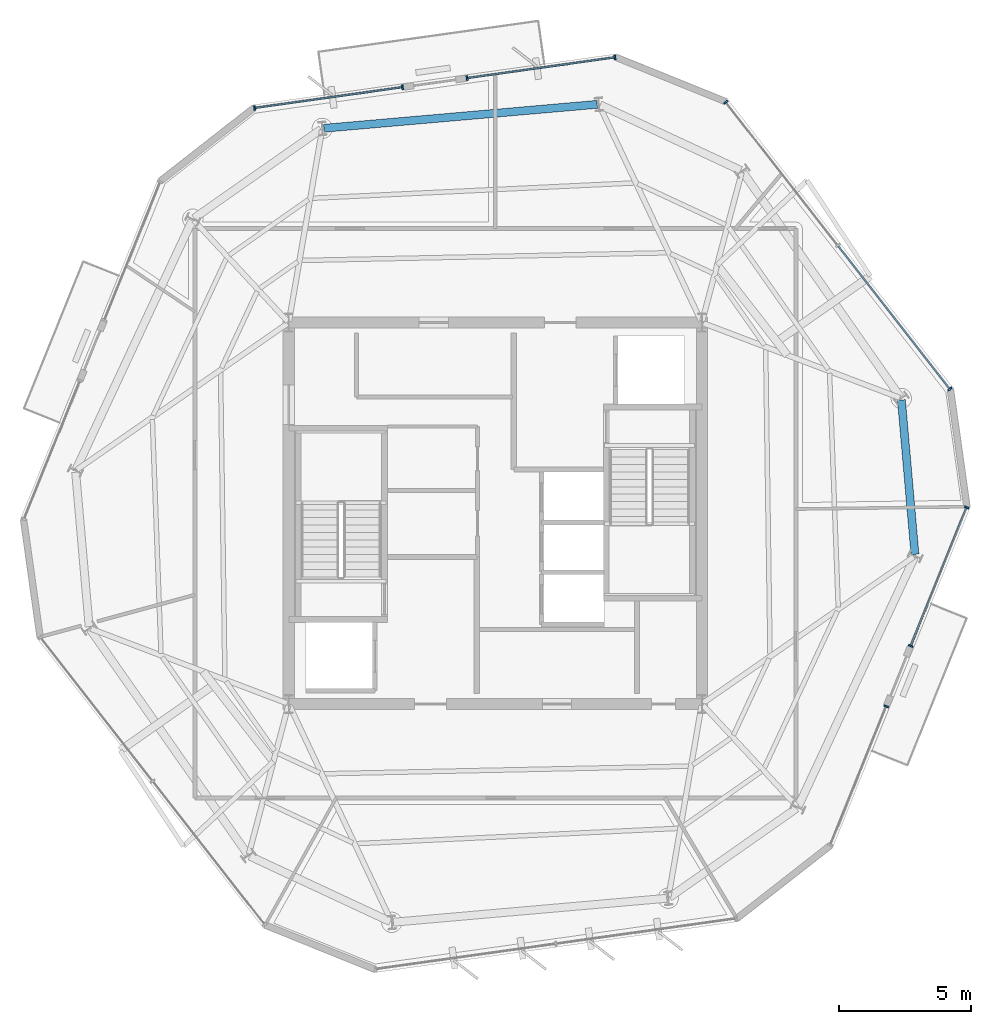
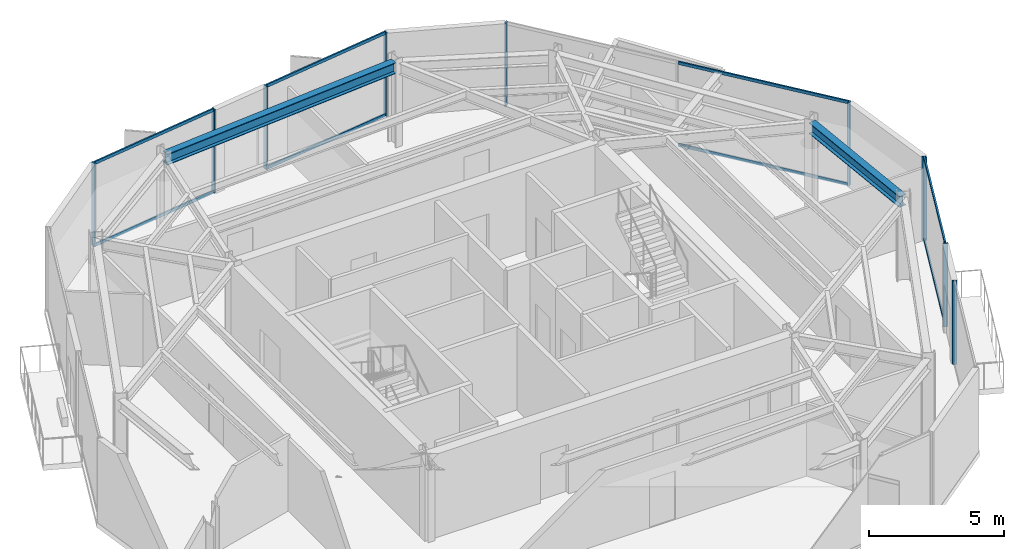
# One storey, part 5 of 11: 17 members, 2 beams, 5 elements without a shape of their own.
"""IFC4 building model written with IfcOpenShell, lengths in metres."""

from ifc_helpers import new_model, si_unit, direction, frame, origin, origin_2d, place, context, subcontext, project, spatial, rectangle, i_section, extrude, material, layer, layer_set, material_profile, profile_set, type_object, element, aggregate, save


model = new_model("IFC4")

# Units and contexts
model_context = context("Model", 3, precision=1e-05, world=origin(), true_north=direction((0.0, 1.0)))
body_context = subcontext(model_context, "Body", "Model", "MODEL_VIEW")
ifc_project = project(units=[si_unit("LENGTHUNIT", "METRE"), si_unit("AREAUNIT", "SQUARE_METRE"), si_unit("VOLUMEUNIT", "CUBIC_METRE"), si_unit("PLANEANGLEUNIT", "RADIAN"), si_unit("MASSUNIT", "GRAM", prefix="KILO")], contexts=[model_context])

# Site, building, storey
site_placement = place(None, origin())
site = spatial("IfcSite", under=ifc_project, at=site_placement, CompositionType="ELEMENT")
building_placement = place(site_placement, origin())
building = spatial("IfcBuilding", under=site, at=building_placement, Name="Kranzbogen Civic Tower", CompositionType="ELEMENT")
storey_placement = place(building_placement, frame((0.0, 0.0, 298.199951171875)))
storey = spatial("IfcBuildingStorey", under=building, at=storey_placement, Name="L72", CompositionType="ELEMENT", Elevation=298.199951171875)

# Curtain wall, members
ifc_material_1 = material(Name="Pale Anodised Aluminium", Category="aluminium")
ifc_layer = layer(ifc_material_1, 0.219970703125, Name="Pale Anodised Aluminium")
ifc_layer_set = layer_set([ifc_layer], Name="Pale Anodised Aluminium")
curtain_wall_type = type_object("IfcCurtainWallType", Name="Zone 4 Stick Curtain Wall System CW-05", PredefinedType="USERDEFINED", material=ifc_layer_set)
curtain_wall_1_placement = place(storey_placement, origin())
curtain_wall_1 = element("IfcCurtainWall", 1, at=curtain_wall_1_placement, inside=storey, type_object=curtain_wall_type, Name="L72 curtain wall CW-L72-F1-S1", ObjectType="STICK CURTAIN WALL", PredefinedType="USERDEFINED")
ifc_material_profile_1 = material_profile(ifc_material_1, rectangle(XDim=0.06494140625, YDim=0.179931640625, at=origin_2d()), Name="ALU-M 65x180")
ifc_profile_set_1 = profile_set([ifc_material_profile_1], Name="Pale Anodised Aluminium")
member_type_1 = type_object("IfcMemberType", Name="Curtain Wall Mullion ALU-M 65x180", PredefinedType="MULLION", material=ifc_profile_set_1)
member_1_placement = place(storey_placement, frame((29.520263671875, 42.2177734375, 0.0), z_axis=(0.0, 0.0, 1.0), x_axis=(-0.990283387831, -0.139064056416, 0.0)))
member_1 = element("IfcMember", 2, at=member_1_placement, type_object=member_type_1, Name="CW-05 mullion 1", PredefinedType="MULLION", context=body_context, shape_type="SweptSolid", body=[
    extrude(rectangle(XDim=0.06494140625, YDim=0.179931640625, at=origin_2d()), origin(), (0.0, 0.0, 1.0), 3.780029296875),
])
member_2_placement = place(storey_placement, frame((23.9326171875, 41.43310546875, 0.0), z_axis=(0.0, 0.0, 1.0), x_axis=(-0.990283387831, -0.139064056416, 0.0)))
member_2 = element("IfcMember", 3, at=member_2_placement, type_object=member_type_1, Name="CW-05 mullion 2", PredefinedType="MULLION", context=body_context, shape_type="SweptSolid", body=[
    extrude(rectangle(XDim=0.06494140625, YDim=0.179931640625, at=origin_2d()), origin(), (0.0, 0.0, 1.0), 3.780029296875),
])

curtain_wall_2_placement = place(storey_placement, origin())
curtain_wall_2 = element("IfcCurtainWall", 4, at=curtain_wall_2_placement, inside=storey, type_object=curtain_wall_type, Name="L72 curtain wall CW-L72-F1-S2", ObjectType="STICK CURTAIN WALL", PredefinedType="USERDEFINED")
member_3_placement = place(storey_placement, frame((21.497314453125, 41.0908203125, 0.0), z_axis=(0.0, 0.0, 1.0), x_axis=(-0.990262622312, -0.139211848818, 0.0)))
member_3 = element("IfcMember", 5, at=member_3_placement, type_object=member_type_1, Name="CW-05 mullion 1", PredefinedType="MULLION", context=body_context, shape_type="SweptSolid", body=[
    extrude(rectangle(XDim=0.06494140625, YDim=0.179931640625, at=origin_2d()), origin(), (0.0, 0.0, 1.0), 3.780029296875),
])
member_4_placement = place(storey_placement, frame((15.90869140625, 40.30517578125, 0.0), z_axis=(0.0, 0.0, 1.0), x_axis=(-0.990262622312, -0.139211848818, 0.0)))
member_4 = element("IfcMember", 6, at=member_4_placement, type_object=member_type_1, Name="CW-05 mullion 2", PredefinedType="MULLION", context=body_context, shape_type="SweptSolid", body=[
    extrude(rectangle(XDim=0.06494140625, YDim=0.179931640625, at=origin_2d()), origin(), (0.0, 0.0, 1.0), 3.780029296875),
])

# Curtain wall, member
curtain_wall_3_placement = place(storey_placement, origin())
curtain_wall_3 = element("IfcCurtainWall", 7, at=curtain_wall_3_placement, inside=storey, type_object=curtain_wall_type, Name="L72 curtain wall CW-L72-F5-S1", ObjectType="STICK CURTAIN WALL", PredefinedType="USERDEFINED")
member_5_placement = place(storey_placement, frame((39.7646484375, 17.708251953125, 0.0), z_axis=(0.0, 0.0, 1.0), x_axis=(0.374593528978, 0.927189132835, 0.0)))
member_5 = element("IfcMember", 8, at=member_5_placement, type_object=member_type_1, Name="CW-05 mullion 2", PredefinedType="MULLION", context=body_context, shape_type="SweptSolid", body=[
    extrude(rectangle(XDim=0.06494140625, YDim=0.179931640625, at=origin_2d()), origin(), (0.0, 0.0, 1.0), 3.780029296875),
])
aggregate(curtain_wall_3, [member_5])

# Curtain wall, members
curtain_wall_4_placement = place(storey_placement, origin())
curtain_wall_4 = element("IfcCurtainWall", 9, at=curtain_wall_4_placement, inside=storey, type_object=curtain_wall_type, Name="L72 curtain wall CW-L72-F5-S2", ObjectType="STICK CURTAIN WALL", PredefinedType="USERDEFINED")
member_6_placement = place(storey_placement, frame((40.686279296875, 19.98876953125, 0.0), z_axis=(0.0, 0.0, 1.0), x_axis=(0.374532628217, 0.927213735015, 0.0)))
member_6 = element("IfcMember", 10, at=member_6_placement, type_object=member_type_1, Name="CW-05 mullion 1", PredefinedType="MULLION", context=body_context, shape_type="SweptSolid", body=[
    extrude(rectangle(XDim=0.06494140625, YDim=0.179931640625, at=origin_2d()), origin(), (0.0, 0.0, 1.0), 3.780029296875),
])
member_7_placement = place(storey_placement, frame((42.7998046875, 25.22119140625, 0.0), z_axis=(0.0, 0.0, 1.0), x_axis=(0.374532628217, 0.927213735015, 0.0)))
member_7 = element("IfcMember", 11, at=member_7_placement, type_object=member_type_1, Name="CW-05 mullion 2", PredefinedType="MULLION", context=body_context, shape_type="SweptSolid", body=[
    extrude(rectangle(XDim=0.06494140625, YDim=0.179931640625, at=origin_2d()), origin(), (0.0, 0.0, 1.0), 3.780029296875),
])

curtain_wall_5_placement = place(storey_placement, origin())
curtain_wall_5 = element("IfcCurtainWall", 12, at=curtain_wall_5_placement, inside=storey, type_object=curtain_wall_type, Name="L72 curtain wall CW-L72-F6", ObjectType="STICK CURTAIN WALL", PredefinedType="USERDEFINED")
member_8_placement = place(storey_placement, frame((42.171630859375, 29.693603515625, 0.0), z_axis=(0.0, 0.0, 1.0), x_axis=(-0.615679181618, 0.787996919614, 0.0)))
member_8 = element("IfcMember", 13, at=member_8_placement, type_object=member_type_1, Name="CW-05 mullion 1", PredefinedType="MULLION", context=body_context, shape_type="SweptSolid", body=[
    extrude(rectangle(XDim=0.06494140625, YDim=0.179931640625, at=origin_2d()), origin(), (0.0, 0.0, 1.0), 3.780029296875),
])
member_9_placement = place(storey_placement, frame((33.70849609375, 40.525390625, 0.0), z_axis=(0.0, 0.0, 1.0), x_axis=(-0.615679181618, 0.787996919614, 0.0)))
member_9 = element("IfcMember", 14, at=member_9_placement, type_object=member_type_1, Name="CW-05 mullion 3", PredefinedType="MULLION", context=body_context, shape_type="SweptSolid", body=[
    extrude(rectangle(XDim=0.06494140625, YDim=0.179931640625, at=origin_2d()), origin(), (0.0, 0.0, 1.0), 3.780029296875),
])

# Member
ifc_material_profile_2 = material_profile(ifc_material_1, rectangle(XDim=0.06494140625, YDim=0.135009765625, at=origin_2d()), Name="ALU-T 65x135")
ifc_profile_set_2 = profile_set([ifc_material_profile_2], Name="Pale Anodised Aluminium")
member_type_2 = type_object("IfcMemberType", Name="Curtain Wall Transom ALU-T 65x135", PredefinedType="USERDEFINED", material=ifc_profile_set_2)
member_10_placement = place(storey_placement, frame((29.490478515625, 42.213623046875, 0.030029296875), z_axis=(-0.990281722875, -0.139075912147, 0.0), x_axis=(0.139075912147, -0.990281722875, 0.0)))
member_10 = element("IfcMember", 15, at=member_10_placement, type_object=member_type_2, Name="CW-05 transom 1.1", ObjectType="TRANSOM", PredefinedType="USERDEFINED", context=body_context, shape_type="SweptSolid", body=[
    extrude(rectangle(XDim=0.06494140625, YDim=0.135009765625, at=origin_2d()), origin(), (0.0, 0.0, 1.0), 5.582275390625),
])

member_11_placement = place(storey_placement, frame((29.490478515625, 42.213623046875, 3.75), z_axis=(-0.990281722875, -0.139075912147, 0.0), x_axis=(0.139075912147, -0.990281722875, 0.0)))
member_11 = element("IfcMember", 16, at=member_11_placement, type_object=member_type_2, Name="CW-05 transom 1.2", ObjectType="TRANSOM", PredefinedType="USERDEFINED", context=body_context, shape_type="SweptSolid", body=[
    extrude(rectangle(XDim=0.06494140625, YDim=0.135009765625, at=origin_2d()), origin(), (0.0, 0.0, 1.0), 5.582275390625),
])

aggregate(curtain_wall_1, [member_1, member_2, member_10, member_11])

member_12_placement = place(storey_placement, frame((21.467529296875, 41.086669921875, 0.030029296875), z_axis=(-0.990261006412, -0.139223342801, 0.0), x_axis=(0.139223342801, -0.990261006412, 0.0)))
member_12 = element("IfcMember", 17, at=member_12_placement, type_object=member_type_2, Name="CW-05 transom 1.1", ObjectType="TRANSOM", PredefinedType="USERDEFINED", context=body_context, shape_type="SweptSolid", body=[
    extrude(rectangle(XDim=0.06494140625, YDim=0.135009765625, at=origin_2d()), origin(), (0.0, 0.0, 1.0), 5.58349609375),
])

member_13_placement = place(storey_placement, frame((21.467529296875, 41.086669921875, 3.75), z_axis=(-0.990261006412, -0.139223342801, 0.0), x_axis=(0.139223342801, -0.990261006412, 0.0)))
member_13 = element("IfcMember", 18, at=member_13_placement, type_object=member_type_2, Name="CW-05 transom 1.2", ObjectType="TRANSOM", PredefinedType="USERDEFINED", context=body_context, shape_type="SweptSolid", body=[
    extrude(rectangle(XDim=0.06494140625, YDim=0.135009765625, at=origin_2d()), origin(), (0.0, 0.0, 1.0), 5.58349609375),
])

aggregate(curtain_wall_2, [member_3, member_4, member_12, member_13])

member_14_placement = place(storey_placement, frame((40.697509765625, 20.0166015625, 0.030029296875), z_axis=(0.374532457589, 0.927213803937, 0.0), x_axis=(-0.927213803937, 0.374532457589, 0.0)))
member_14 = element("IfcMember", 19, at=member_14_placement, type_object=member_type_2, Name="CW-05 transom 1.1", ObjectType="TRANSOM", PredefinedType="USERDEFINED", context=body_context, shape_type="SweptSolid", body=[
    extrude(rectangle(XDim=0.06494140625, YDim=0.135009765625, at=origin_2d()), origin(), (0.0, 0.0, 1.0), 5.583251953125),
])

member_15_placement = place(storey_placement, frame((40.697509765625, 20.0166015625, 3.75), z_axis=(0.374532457589, 0.927213803937, 0.0), x_axis=(-0.927213803937, 0.374532457589, 0.0)))
member_15 = element("IfcMember", 20, at=member_15_placement, type_object=member_type_2, Name="CW-05 transom 1.2", ObjectType="TRANSOM", PredefinedType="USERDEFINED", context=body_context, shape_type="SweptSolid", body=[
    extrude(rectangle(XDim=0.06494140625, YDim=0.135009765625, at=origin_2d()), origin(), (0.0, 0.0, 1.0), 5.583251953125),
])

aggregate(curtain_wall_4, [member_6, member_7, member_14, member_15])

member_16_placement = place(storey_placement, frame((42.153076171875, 29.71728515625, 0.030029296875), z_axis=(-0.615673248113, 0.788001555556, 0.0), x_axis=(-0.788001555556, -0.615673248113, 0.0)))
member_16 = element("IfcMember", 21, at=member_16_placement, type_object=member_type_2, Name="CW-05 transom 1.1", ObjectType="TRANSOM", PredefinedType="USERDEFINED", context=body_context, shape_type="SweptSolid", body=[
    extrude(rectangle(XDim=0.06494140625, YDim=0.135009765625, at=origin_2d()), origin(), (0.0, 0.0, 1.0), 6.81298828125),
])

member_17_placement = place(storey_placement, frame((42.153076171875, 29.71728515625, 3.75), z_axis=(-0.615673248113, 0.788001555556, 0.0), x_axis=(-0.788001555556, -0.615673248113, 0.0)))
member_17 = element("IfcMember", 22, at=member_17_placement, type_object=member_type_2, Name="CW-05 transom 1.2", ObjectType="TRANSOM", PredefinedType="USERDEFINED", context=body_context, shape_type="SweptSolid", body=[
    extrude(rectangle(XDim=0.06494140625, YDim=0.135009765625, at=origin_2d()), origin(), (0.0, 0.0, 1.0), 6.81298828125),
])

aggregate(curtain_wall_5, [member_8, member_9, member_16, member_17])

# Beams
ifc_material_2 = material(Name="Steel S355", Category="steel")
ifc_material_profile_3 = material_profile(ifc_material_2, i_section(OverallWidth=0.300048828125, OverallDepth=0.5, WebThickness=0.014404296875, FlangeThickness=0.028076171875, at=origin_2d()), Name="HEB 500")
ifc_profile_set_3 = profile_set([ifc_material_profile_3], Name="Steel S355")
beam_type = type_object("IfcBeamType", Name="Perimeter Tube Spandrel Beam HEB 500", PredefinedType="SPANDREL", material=ifc_profile_set_3)
beam_1_placement = place(storey_placement, frame((40.85009765625, 23.449951171875, 3.530029296875), z_axis=(-0.087326362434, 0.99617975608, 0.0), x_axis=(-0.99617975608, -0.087326362434, 0.0)))
element("IfcBeam", 23, at=beam_1_placement, inside=storey, type_object=beam_type, Name="L72 perimeter spandrel beam 06", PredefinedType="SPANDREL", context=body_context, shape_type="SweptSolid", body=[
    extrude(i_section(OverallWidth=0.300048828125, OverallDepth=0.5, WebThickness=0.014404296875, FlangeThickness=0.028076171875, at=origin_2d()), origin(), (0.0, 0.0, 1.0), 5.8515625),
])
beam_2_placement = place(storey_placement, frame((28.84912109375, 40.445068359375, 3.530029296875), z_axis=(-0.996186373839, -0.087250837114, 0.0), x_axis=(0.087250837114, -0.996186373839, 0.0)))
element("IfcBeam", 24, at=beam_2_placement, inside=storey, type_object=beam_type, Name="L72 perimeter spandrel beam 09", PredefinedType="SPANDREL", context=body_context, shape_type="SweptSolid", body=[
    extrude(i_section(OverallWidth=0.300048828125, OverallDepth=0.5, WebThickness=0.014404296875, FlangeThickness=0.028076171875, at=origin_2d()), origin(), (0.0, 0.0, 1.0), 10.361572265625),
])

save(model, "model.ifc")
